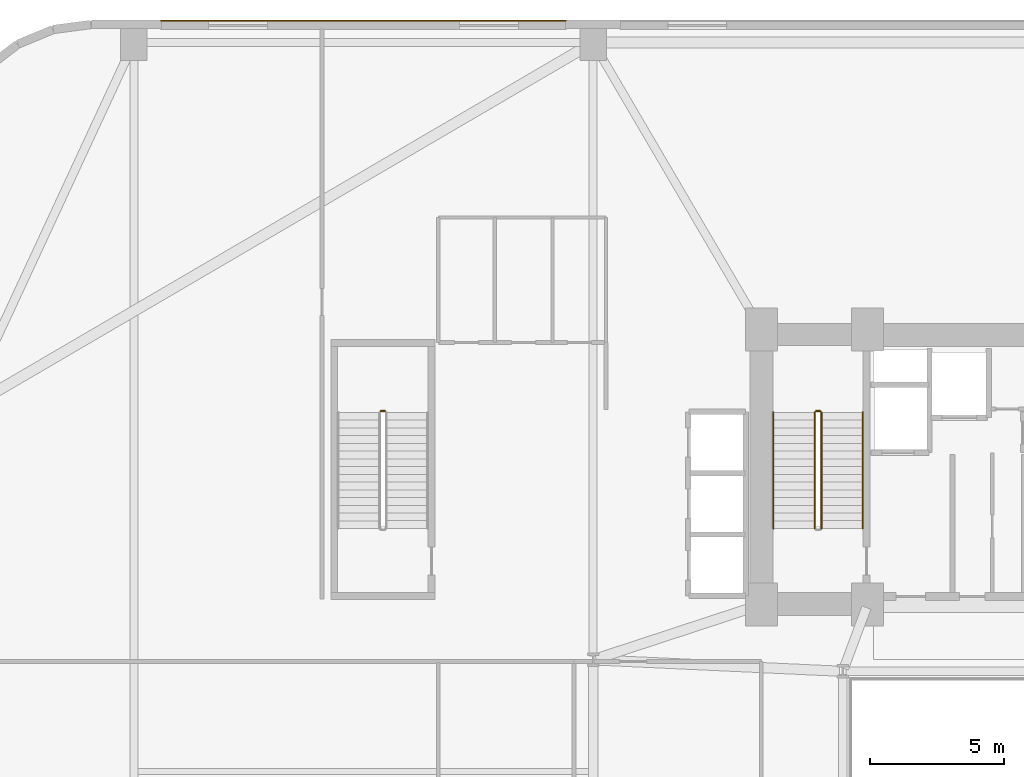
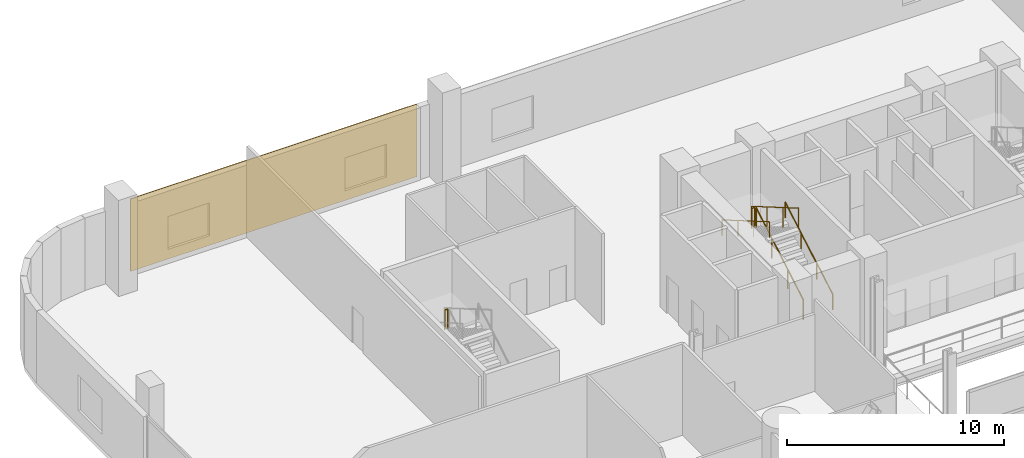
# One storey, part 38 of 40: 6 railings, 1 covering.
"""IFC4 building model written with IfcOpenShell, lengths in metres."""

from ifc_helpers import new_model, si_unit, direction, frame, origin, origin_2d, place, context, subcontext, project, spatial, rectangle, circle, extrude, source, transform, mapped, material, layer, layer_set, type_object, element, save


model = new_model("IFC4")

# Units and contexts
model_context = context("Model", 3, precision=1e-05, world=origin(), true_north=direction((0.0, 1.0)))
body_context = subcontext(model_context, "Body", "Model", "MODEL_VIEW")
ifc_project = project(units=[si_unit("LENGTHUNIT", "METRE"), si_unit("AREAUNIT", "SQUARE_METRE"), si_unit("VOLUMEUNIT", "CUBIC_METRE"), si_unit("PLANEANGLEUNIT", "RADIAN"), si_unit("MASSUNIT", "GRAM", prefix="KILO")], contexts=[model_context])

# Site, building, storey
site_placement = place(None, origin())
site = spatial("IfcSite", under=ifc_project, at=site_placement, CompositionType="ELEMENT")
building_placement = place(site_placement, origin())
building = spatial("IfcBuilding", under=site, at=building_placement, Name="Varnelok Gate Tower", CompositionType="ELEMENT")
storey_placement = place(building_placement, frame((0.0, 0.0, 5.39990234375)))
storey = spatial("IfcBuildingStorey", under=building, at=storey_placement, Name="L01", CompositionType="ELEMENT", Elevation=5.39990234375)

# Railings
ifc_material_1 = material(Name="Brushed Stainless Steel AISI 316", Category="steel")
railing_type_1 = type_object("IfcRailingType", Name="RL-HANDRAIL-900", PredefinedType="HANDRAIL", material=ifc_material_1)
railing_1_placement = place(storey_placement, frame((34.5, 31.60009765625, 0.1689453125)))
element("IfcRailing", 1, at=railing_1_placement, inside=storey, type_object=railing_type_1, Name="L01 ST-1 stair handrail 1", PredefinedType="HANDRAIL", context=body_context, shape_type="SweptSolid", body=[
    extrude(circle(Radius=0.02392578125, at=origin_2d()), frame((0.0, 0.0, 0.8759765625), z_axis=(0.0, 0.864311530196, 0.502956835891), x_axis=(-1.0, 0.0, 0.0)), (0.0, 0.0, 1.0), 5.03271484375),
    extrude(circle(Radius=0.02099609375, at=origin_2d()), origin(), (0.0, 0.0, 1.0), 0.851806640625),
    extrude(circle(Radius=0.02099609375, at=origin_2d()), frame((0.0, 1.449951171875, 0.84375)), (0.0, 0.0, 1.0), 0.851806640625),
    extrude(circle(Radius=0.02099609375, at=origin_2d()), frame((0.0, 2.89990234375, 1.6875)), (0.0, 0.0, 1.0), 0.851806640625),
    extrude(circle(Radius=0.02099609375, at=origin_2d()), frame((0.0, 4.349853515625, 2.53125)), (0.0, 0.0, 1.0), 0.851806640625),
])
railing_2_placement = place(storey_placement, frame((31.14990234375, 35.949951171875, 2.868896484375)))
element("IfcRailing", 2, at=railing_2_placement, inside=storey, type_object=railing_type_1, Name="L01 ST-1 stair handrail 2", PredefinedType="HANDRAIL", context=body_context, shape_type="SweptSolid", body=[
    extrude(circle(Radius=0.02392578125, at=origin_2d()), frame((0.0, 0.0, 0.8759765625), z_axis=(0.0, -0.864311530196, 0.502956835891), x_axis=(1.0, 0.0, 0.0)), (0.0, 0.0, 1.0), 5.03271484375),
    extrude(circle(Radius=0.02099609375, at=origin_2d()), origin(), (0.0, 0.0, 1.0), 0.851806640625),
    extrude(circle(Radius=0.02099609375, at=origin_2d()), frame((0.0, -1.449951171875, 0.84375)), (0.0, 0.0, 1.0), 0.851806640625),
    extrude(circle(Radius=0.02099609375, at=origin_2d()), frame((0.0, -2.89990234375, 1.6875)), (0.0, 0.0, 1.0), 0.851806640625),
    extrude(circle(Radius=0.02099609375, at=origin_2d()), frame((0.0, -4.349853515625, 2.53125)), (0.0, 0.0, 1.0), 0.851806640625),
])
ifc_material_2 = material(Name="Galvanized Steel Grade S350GD", Category="steel")
railing_type_2 = type_object("IfcRailingType", Name="RL-STAIR-GUARD1120", PredefinedType="GUARDRAIL", material=ifc_material_2)
railing_3_placement = place(storey_placement, frame((32.949951171875, 31.60009765625, 0.1689453125)))
element("IfcRailing", 3, at=railing_3_placement, inside=storey, type_object=railing_type_2, Name="L01 ST-1 stair guard 1", PredefinedType="GUARDRAIL", context=body_context, shape_type="SweptSolid", body=[
    extrude(circle(Radius=0.02392578125, at=origin_2d()), frame((0.0, 0.0, 1.09619140625), z_axis=(0.0, 0.864311530196, 0.502956835891), x_axis=(-1.0, 0.0, 0.0)), (0.0, 0.0, 1.0), 5.03271484375),
    extrude(circle(Radius=0.02099609375, at=origin_2d()), origin(), (0.0, 0.0, 1.0), 1.072021484375),
    extrude(circle(Radius=0.02099609375, at=origin_2d()), frame((0.0, 1.449951171875, 0.84375)), (0.0, 0.0, 1.0), 1.072021484375),
    extrude(circle(Radius=0.02099609375, at=origin_2d()), frame((0.0, 2.89990234375, 1.6875)), (0.0, 0.0, 1.0), 1.072021484375),
    extrude(circle(Radius=0.02099609375, at=origin_2d()), frame((0.0, 4.349853515625, 2.53125)), (0.0, 0.0, 1.0), 1.072021484375),
])
railing_4_placement = place(storey_placement, frame((32.89990234375, 36.0, 2.7001953125)))
element("IfcRailing", 4, at=railing_4_placement, inside=storey, type_object=railing_type_2, Name="L01 ST-1 stair guard 2", PredefinedType="GUARDRAIL", context=body_context, shape_type="SweptSolid", body=[
    extrude(circle(Radius=0.02392578125, at=origin_2d()), frame((0.0, 0.0, 1.09619140625), z_axis=(-1.0, 0.0, 0.0), x_axis=(0.0, -1.0, 0.0)), (0.0, 0.0, 1.0), 0.14990234375),
    extrude(circle(Radius=0.02099609375, at=origin_2d()), origin(), (0.0, 0.0, 1.0), 1.072021484375),
    extrude(circle(Radius=0.02099609375, at=origin_2d()), frame((-0.14990234375, 0.0, 0.0)), (0.0, 0.0, 1.0), 1.072021484375),
])
railing_5_placement = place(storey_placement, frame((32.699951171875, 35.949951171875, 2.868896484375)))
element("IfcRailing", 5, at=railing_5_placement, inside=storey, type_object=railing_type_2, Name="L01 ST-1 stair guard 3", PredefinedType="GUARDRAIL", context=body_context, shape_type="SweptSolid", body=[
    extrude(circle(Radius=0.02392578125, at=origin_2d()), frame((0.0, 0.0, 1.09619140625), z_axis=(0.0, -0.864311530196, 0.502956835891), x_axis=(1.0, 0.0, 0.0)), (0.0, 0.0, 1.0), 5.03271484375),
    extrude(circle(Radius=0.02099609375, at=origin_2d()), origin(), (0.0, 0.0, 1.0), 1.072021484375),
    extrude(circle(Radius=0.02099609375, at=origin_2d()), frame((0.0, -1.449951171875, 0.84375)), (0.0, 0.0, 1.0), 1.072021484375),
    extrude(circle(Radius=0.02099609375, at=origin_2d()), frame((0.0, -2.89990234375, 1.6875)), (0.0, 0.0, 1.0), 1.072021484375),
    extrude(circle(Radius=0.02099609375, at=origin_2d()), frame((0.0, -4.349853515625, 2.53125)), (0.0, 0.0, 1.0), 1.072021484375),
])
railing_6_placement = place(storey_placement, frame((16.60009765625, 36.0, 2.7001953125)))
element("IfcRailing", 6, at=railing_6_placement, inside=storey, type_object=railing_type_2, Name="L01 ST-3 stair guard 2", PredefinedType="GUARDRAIL", context=body_context, shape_type="SweptSolid", body=[
    extrude(circle(Radius=0.02392578125, at=origin_2d()), frame((0.0, 0.0, 1.09619140625), z_axis=(-1.0, 0.0, 0.0), x_axis=(0.0, -1.0, 0.0)), (0.0, 0.0, 1.0), 0.150146484375),
    extrude(circle(Radius=0.02099609375, at=origin_2d()), origin(), (0.0, 0.0, 1.0), 1.072021484375),
    extrude(circle(Radius=0.02099609375, at=origin_2d()), frame((-0.150146484375, 0.0, 0.0)), (0.0, 0.0, 1.0), 1.072021484375),
])

# Covering
ifc_material_3 = material(Name="Glazed Architectural Terracotta Ceramic", Category="masonry")
ifc_layer = layer(ifc_material_3, 0.044921875)
ifc_layer_set = layer_set([ifc_layer], Name="Glazed Architectural Terracotta Ceramic")
covering_type = type_object("IfcCoveringType", Name="COV-TERRA-CLAD", PredefinedType="CLADDING", material=ifc_layer_set)
shared_shape = source(origin(), body_context, "Body", "SweptSolid", [
    extrude(rectangle(XDim=15.199951171875, YDim=0.044921875, at=origin_2d()), origin(), (0.0, 0.0, 1.0), 4.070068359375),
])
covering_placement = place(storey_placement, frame((15.800048828125, 50.6220703125, 0.0), z_axis=(0.0, 0.0, 1.0), x_axis=(1.0, 0.0, 0.0)))
element("IfcCovering", 7, at=covering_placement, inside=storey, type_object=covering_type, Name="L01 Terracotta Podium Rainscreen Cladding N1", PredefinedType="CLADDING", context=body_context, shape_type="MappedRepresentation", body=[
    mapped(shared_shape, transform((0.0, 0.0, 0.0), scale=1.0)),
])

save(model, "model.ifc")
